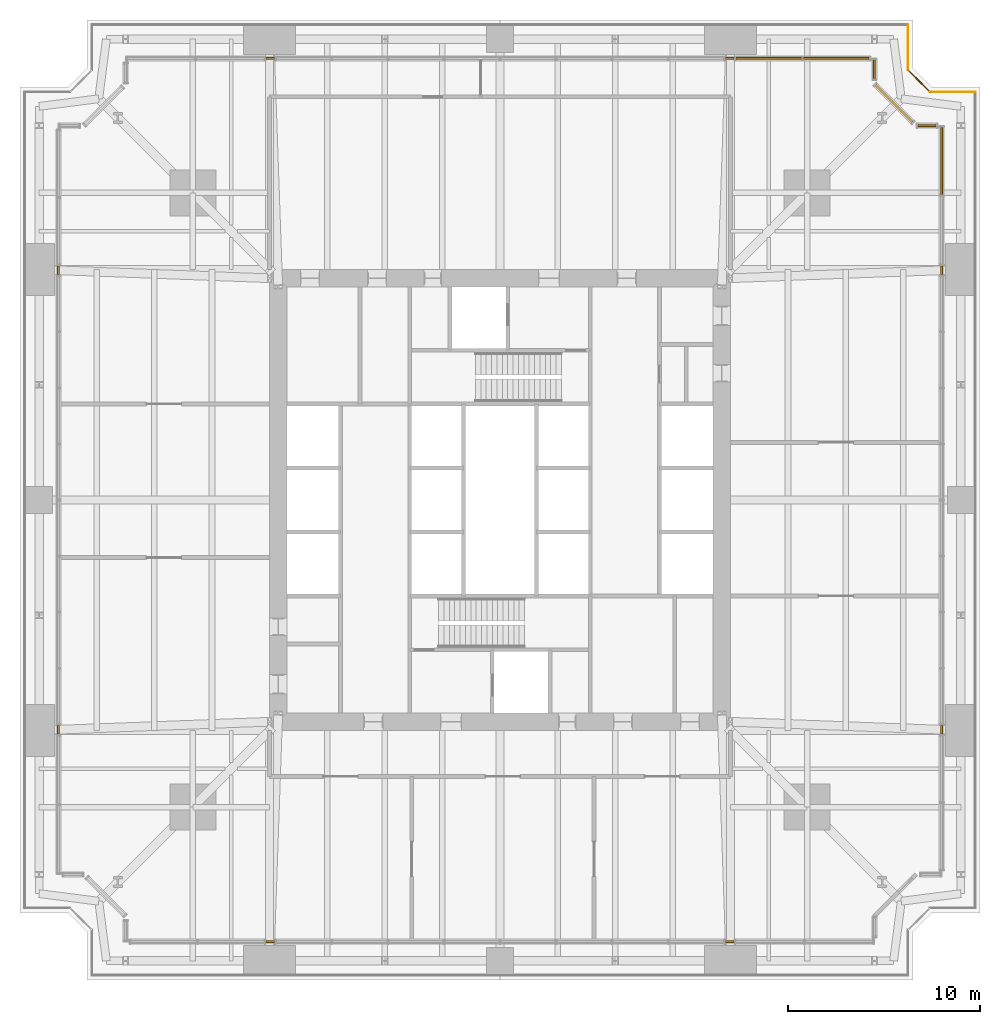
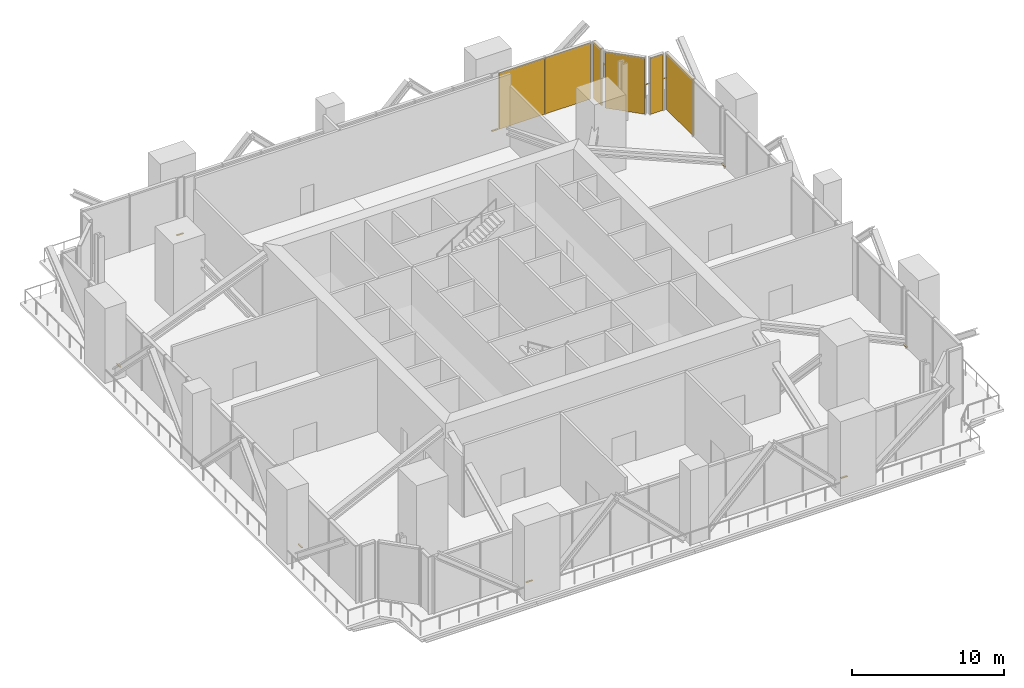
# One storey, part 13 of 13: 8 coverings, 6 shading devices, 3 railings, 5 elements without a shape of their own.
"""IFC4 building model written with IfcOpenShell, lengths in metres."""

from ifc_helpers import new_model, si_unit, direction, frame, origin, origin_2d, place, context, subcontext, project, spatial, rectangle, circle, extrude, material, layer, layer_set, type_object, element, aggregate, save


model = new_model("IFC4")

# Units and contexts
model_context = context("Model", 3, precision=1e-05, world=origin(), true_north=direction((0.0, 1.0)))
body_context = subcontext(model_context, "Body", "Model", "MODEL_VIEW")
ifc_project = project(units=[si_unit("LENGTHUNIT", "METRE"), si_unit("AREAUNIT", "SQUARE_METRE"), si_unit("VOLUMEUNIT", "CUBIC_METRE"), si_unit("PLANEANGLEUNIT", "RADIAN"), si_unit("MASSUNIT", "GRAM", prefix="KILO")], contexts=[model_context])

# Site, building, storey
site_placement = place(None, origin())
site = spatial("IfcSite", under=ifc_project, at=site_placement, CompositionType="ELEMENT")
building_placement = place(site_placement, origin())
building = spatial("IfcBuilding", under=site, at=building_placement, Name="Fenwick Lantern Interchange", CompositionType="ELEMENT")
storey_placement = place(building_placement, frame((0.0, 0.0, 91.0)))
storey = spatial("IfcBuildingStorey", under=building, at=storey_placement, Name="L21", CompositionType="ELEMENT", Elevation=91.0)

# Coverings
ifc_material_1 = material(Name="Insulated aluminium closure panel", Category="aluminium")
ifc_layer_1 = layer(ifc_material_1, 0.10009765625)
ifc_layer_set_1 = layer_set([ifc_layer_1], Name="LOUVRE SCREEN CLOSURE PANEL 100")
covering_type = type_object("IfcCoveringType", Name="LOUVRE SCREEN CLOSURE PANEL 100", PredefinedType="CLADDING", material=ifc_layer_set_1)
for number, where, z_axis, x_axis, name in (
    (1, (48.0, 13.03759765625, 0.0), (0.0, 0.0, 1.0), (0.0, 1.0, 0.0), "Louvre screen closure panel 04-1"),
    (2, (48.0, 36.96240234375, 0.0), (0.0, 0.0, 1.0), (0.0, 1.0, 0.0), "Louvre screen closure panel 04-2"),
):
    element("IfcCovering", number, at=place(storey_placement, frame(where, z_axis=z_axis, x_axis=x_axis)), inside=storey, type_object=covering_type, Name=name, PredefinedType="CLADDING", context=body_context, shape_type="SweptSolid", body=[
        extrude(rectangle(XDim=0.484375, YDim=0.10009765625, at=origin_2d()), origin(), (0.0, 0.0, 1.0), 0.0634765625),
    ])
for number, where, z_axis, x_axis, name in (
    (3, (36.965087890625, 48.0, 0.0), (0.0, 0.0, 1.0), (-1.0, 0.0, 0.0), "Louvre screen closure panel 08-1"),
    (4, (13.034912109375, 48.0, 0.0), (0.0, 0.0, 1.0), (-1.0, 0.0, 0.0), "Louvre screen closure panel 08-2"),
):
    element("IfcCovering", number, at=place(storey_placement, frame(where, z_axis=z_axis, x_axis=x_axis)), inside=storey, type_object=covering_type, Name=name, PredefinedType="CLADDING", context=body_context, shape_type="SweptSolid", body=[
        extrude(rectangle(XDim=0.483642578125, YDim=0.10009765625, at=origin_2d()), origin(), (0.0, 0.0, 1.0), 0.040283203125),
    ])
for number, where, z_axis, x_axis, name in (
    (5, (2.0, 36.96240234375, 0.0), (0.0, 0.0, 1.0), (0.0, -1.0, 0.0), "Louvre screen closure panel 12-1"),
    (6, (2.0, 13.03759765625, 0.0), (0.0, 0.0, 1.0), (0.0, -1.0, 0.0), "Louvre screen closure panel 12-2"),
):
    element("IfcCovering", number, at=place(storey_placement, frame(where, z_axis=z_axis, x_axis=x_axis)), inside=storey, type_object=covering_type, Name=name, PredefinedType="CLADDING", context=body_context, shape_type="SweptSolid", body=[
        extrude(rectangle(XDim=0.484375, YDim=0.10009765625, at=origin_2d()), origin(), (0.0, 0.0, 1.0), 0.0634765625),
    ])
for number, where, z_axis, x_axis, name in (
    (7, (13.034912109375, 2.0, 0.0), (0.0, 0.0, 1.0), (1.0, 0.0, 0.0), "Louvre screen closure panel 16-1"),
    (8, (36.965087890625, 2.0, 0.0), (0.0, 0.0, 1.0), (1.0, 0.0, 0.0), "Louvre screen closure panel 16-2"),
):
    element("IfcCovering", number, at=place(storey_placement, frame(where, z_axis=z_axis, x_axis=x_axis)), inside=storey, type_object=covering_type, Name=name, PredefinedType="CLADDING", context=body_context, shape_type="SweptSolid", body=[
        extrude(rectangle(XDim=0.483642578125, YDim=0.10009765625, at=origin_2d()), origin(), (0.0, 0.0, 1.0), 0.040283203125),
    ])

# Railings
ifc_material_2 = material(Name="Galvanised steel guard", Category="steel")
railing_type = type_object("IfcRailingType", Name="MAINTENANCE LEDGE GUARD 1100", PredefinedType="GUARDRAIL", material=ifc_material_2)
railing_1_placement = place(storey_placement, frame((49.75, 46.25, 0.0)))
element("IfcRailing", 9, at=railing_1_placement, inside=storey, type_object=railing_type, Name="L21/GR/LEDGE06", PredefinedType="GUARDRAIL", context=body_context, shape_type="SweptSolid", body=[
    extrude(circle(Radius=0.02392578125, at=origin_2d()), frame((0.0, 0.0, 1.076171875), z_axis=(-1.0, 0.0, 0.0), x_axis=(0.0, -1.0, 0.0)), (0.0, 0.0, 1.0), 2.353515625),
    extrude(circle(Radius=0.02099609375, at=origin_2d()), origin(), (0.0, 0.0, 1.0), 1.052001953125),
    extrude(circle(Radius=0.02099609375, at=origin_2d()), frame((-1.1767578125, 0.0, 0.0)), (0.0, 0.0, 1.0), 1.052001953125),
    extrude(circle(Radius=0.02099609375, at=origin_2d()), frame((-2.353515625, 0.0, 0.0)), (0.0, 0.0, 1.0), 1.052001953125),
])
railing_2_placement = place(storey_placement, frame((47.396484375, 46.25, 0.0)))
element("IfcRailing", 10, at=railing_2_placement, inside=storey, type_object=railing_type, Name="L21/GR/LEDGE07", PredefinedType="GUARDRAIL", context=body_context, shape_type="SweptSolid", body=[
    extrude(circle(Radius=0.02392578125, at=origin_2d()), frame((0.0, 0.0, 1.076171875), z_axis=(-0.707106781187, 0.707106781187, 0.0), x_axis=(-0.707106781187, -0.707106781187, 0.0)), (0.0, 0.0, 1.0), 1.621337890625),
    extrude(circle(Radius=0.02099609375, at=origin_2d()), origin(), (0.0, 0.0, 1.0), 1.052001953125),
    extrude(circle(Radius=0.02099609375, at=origin_2d()), frame((-0.5732421875, 0.5732421875, 0.0)), (0.0, 0.0, 1.0), 1.052001953125),
    extrude(circle(Radius=0.02099609375, at=origin_2d()), frame((-1.146484375, 1.146484375, 0.0)), (0.0, 0.0, 1.0), 1.052001953125),
])
railing_3_placement = place(storey_placement, frame((46.25, 47.396484375, 0.0)))
element("IfcRailing", 11, at=railing_3_placement, inside=storey, type_object=railing_type, Name="L21/GR/LEDGE08", PredefinedType="GUARDRAIL", context=body_context, shape_type="SweptSolid", body=[
    extrude(circle(Radius=0.02392578125, at=origin_2d()), frame((0.0, 0.0, 1.076171875), z_axis=(0.0, 1.0, 0.0), x_axis=(-1.0, 0.0, 0.0)), (0.0, 0.0, 1.0), 2.353515625),
    extrude(circle(Radius=0.02099609375, at=origin_2d()), origin(), (0.0, 0.0, 1.0), 1.052001953125),
    extrude(circle(Radius=0.02099609375, at=origin_2d()), frame((0.0, 1.1767578125, 0.0)), (0.0, 0.0, 1.0), 1.052001953125),
    extrude(circle(Radius=0.02099609375, at=origin_2d()), frame((0.0, 2.353515625, 0.0)), (0.0, 0.0, 1.0), 1.052001953125),
])

# Curtain wall, shading device
ifc_material_3 = material(Name="Aluminium curtain wall frame", Category="aluminium")
curtain_wall_type = type_object("IfcCurtainWallType", Name="PLANT LOUVRE SCREEN", PredefinedType="USERDEFINED", material=ifc_material_3)
curtain_wall_1_placement = place(storey_placement, origin())
curtain_wall_1 = element("IfcCurtainWall", 12, at=curtain_wall_1_placement, inside=storey, type_object=curtain_wall_type, Name="Plant louvre screen 04C", ObjectType="PLANT LOUVRE SCREEN", PredefinedType="USERDEFINED")
ifc_material_4 = material(Name="Louvre panel, anodised aluminium blades", Category="aluminium")
ifc_layer_2 = layer(ifc_material_4, 0.10009765625)
ifc_layer_set_2 = layer_set([ifc_layer_2], Name="PLANT LOUVRE SCREEN PANEL 100")
shading_device_type = type_object("IfcShadingDeviceType", Name="PLANT LOUVRE SCREEN PANEL 100", PredefinedType="SHUTTER", material=ifc_layer_set_2)
shading_device_1_placement = place(storey_placement, frame((48.0, 42.657470703125, 0.0), z_axis=(0.0, 0.0, 1.0), x_axis=(0.0, 1.0, 0.0)))
shading_device_1 = element("IfcShadingDevice", 13, at=shading_device_1_placement, type_object=shading_device_type, Name="L21/CW/04C/P01", PredefinedType="SHUTTER", context=body_context, shape_type="SweptSolid", body=[
    extrude(rectangle(XDim=3.53515625, YDim=0.10009765625, at=origin_2d()), origin(), (0.0, 0.0, 1.0), 4.47998046875),
])
aggregate(curtain_wall_1, [shading_device_1])

curtain_wall_2_placement = place(storey_placement, origin())
curtain_wall_2 = element("IfcCurtainWall", 14, at=curtain_wall_2_placement, inside=storey, type_object=curtain_wall_type, Name="Plant louvre screen 05", ObjectType="PLANT LOUVRE SCREEN", PredefinedType="USERDEFINED")
shading_device_2_placement = place(storey_placement, frame((47.23583984375, 44.5, 0.0), z_axis=(0.0, 0.0, 1.0), x_axis=(-1.0, 0.0, 0.0)))
shading_device_2 = element("IfcShadingDevice", 15, at=shading_device_2_placement, type_object=shading_device_type, Name="L21/CW/05/P00", PredefinedType="SHUTTER", context=body_context, shape_type="SweptSolid", body=[
    extrude(rectangle(XDim=0.978515625, YDim=0.10009765625, at=origin_2d()), origin(), (0.0, 0.0, 1.0), 4.47998046875),
])
aggregate(curtain_wall_2, [shading_device_2])

curtain_wall_3_placement = place(storey_placement, origin())
curtain_wall_3 = element("IfcCurtainWall", 16, at=curtain_wall_3_placement, inside=storey, type_object=curtain_wall_type, Name="Plant louvre screen 06", ObjectType="PLANT LOUVRE SCREEN", PredefinedType="USERDEFINED")
shading_device_3_placement = place(storey_placement, frame((45.51513671875, 45.656494140625, 0.0), z_axis=(0.0, 0.0, 1.0), x_axis=(-0.707106781187, 0.707106781187, 0.0)))
shading_device_3 = element("IfcShadingDevice", 17, at=shading_device_3_placement, type_object=shading_device_type, Name="L21/CW/06/P00", PredefinedType="SHUTTER", context=body_context, shape_type="SweptSolid", body=[
    extrude(rectangle(XDim=2.720947265625, YDim=0.10009765625, at=origin_2d()), origin(), (0.0, 0.0, 1.0), 4.47998046875),
])
aggregate(curtain_wall_3, [shading_device_3])

curtain_wall_4_placement = place(storey_placement, origin())
curtain_wall_4 = element("IfcCurtainWall", 18, at=curtain_wall_4_placement, inside=storey, type_object=curtain_wall_type, Name="Plant louvre screen 07", ObjectType="PLANT LOUVRE SCREEN", PredefinedType="USERDEFINED")
shading_device_4_placement = place(storey_placement, frame((44.5, 47.435791015625, 0.0), z_axis=(0.0, 0.0, 1.0), x_axis=(0.0, 1.0, 0.0)))
shading_device_4 = element("IfcShadingDevice", 19, at=shading_device_4_placement, type_object=shading_device_type, Name="L21/CW/07/P00", PredefinedType="SHUTTER", context=body_context, shape_type="SweptSolid", body=[
    extrude(rectangle(XDim=0.978515625, YDim=0.10009765625, at=origin_2d()), origin(), (0.0, 0.0, 1.0), 4.47998046875),
])
aggregate(curtain_wall_4, [shading_device_4])

# Curtain wall, shading devices
curtain_wall_5_placement = place(storey_placement, origin())
curtain_wall_5 = element("IfcCurtainWall", 20, at=curtain_wall_5_placement, inside=storey, type_object=curtain_wall_type, Name="Plant louvre screen 08A", ObjectType="PLANT LOUVRE SCREEN", PredefinedType="USERDEFINED")
shading_device_5_placement = place(storey_placement, frame((42.508056640625, 48.0, 0.0), z_axis=(0.0, 0.0, 1.0), x_axis=(-1.0, 0.0, 0.0)))
shading_device_5 = element("IfcShadingDevice", 21, at=shading_device_5_placement, type_object=shading_device_type, Name="L21/CW/08A/P00", PredefinedType="SHUTTER", context=body_context, shape_type="SweptSolid", body=[
    extrude(rectangle(XDim=3.43408203125, YDim=0.10009765625, at=origin_2d()), origin(), (0.0, 0.0, 1.0), 4.47998046875),
])
shading_device_6_placement = place(storey_placement, frame((38.9990234375, 48.0, 0.0), z_axis=(0.0, 0.0, 1.0), x_axis=(-1.0, 0.0, 0.0)))
shading_device_6 = element("IfcShadingDevice", 22, at=shading_device_6_placement, type_object=shading_device_type, Name="L21/CW/08A/P01", PredefinedType="SHUTTER", context=body_context, shape_type="SweptSolid", body=[
    extrude(rectangle(XDim=3.43408203125, YDim=0.10009765625, at=origin_2d()), origin(), (0.0, 0.0, 1.0), 4.47998046875),
])
aggregate(curtain_wall_5, [shading_device_5, shading_device_6])

save(model, "model.ifc")
